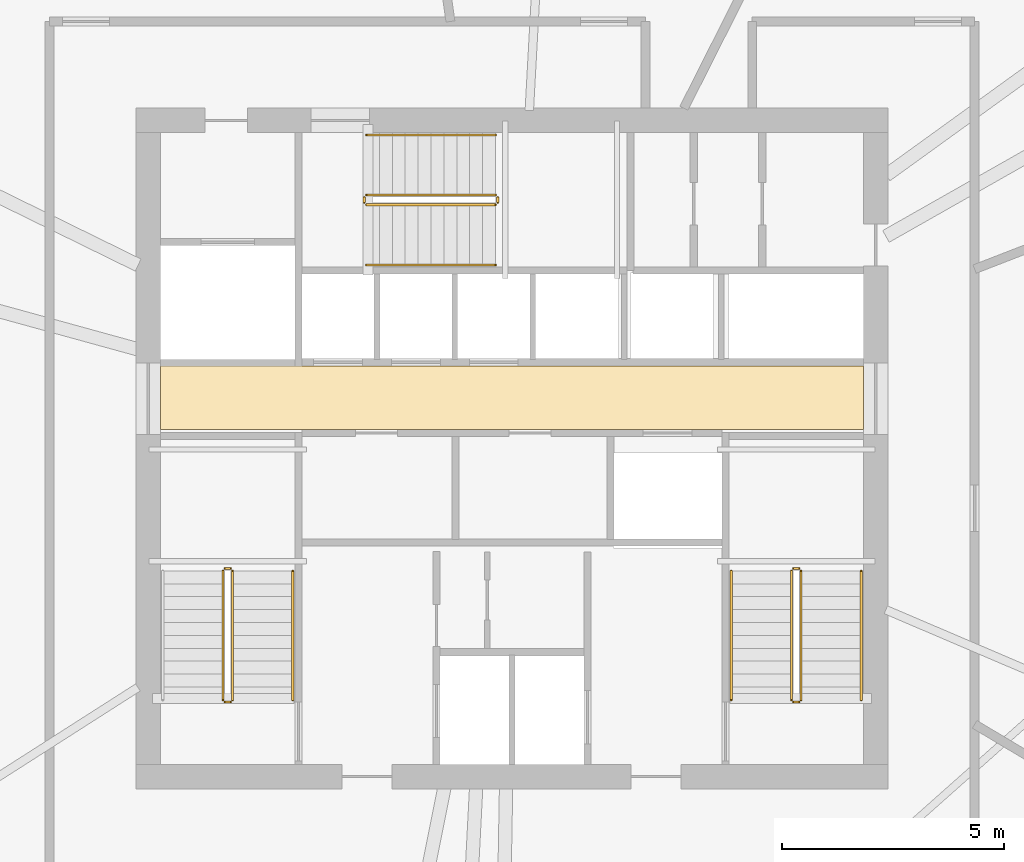
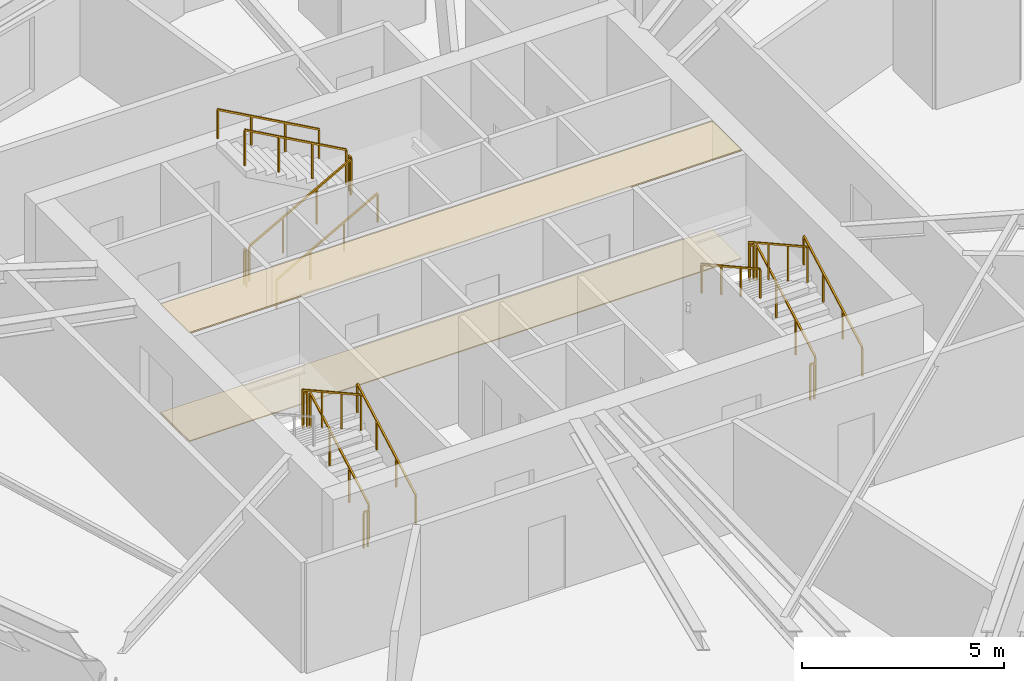
# One storey, part 14 of 15: 17 railings, 2 coverings.
"""IFC4 building model written with IfcOpenShell, lengths in metres."""

import ifcopenshell
import ifcopenshell.guid

model = None  # the IFC model being written
_history = None  # IfcOwnerHistory: only IFC2X3 demands one
_inside = {}  # id of a spatial element -> (the spatial element, [elements in it])
_under = {}  # id of a project, library or spatial element -> (it, [spatial elements below it])
_declared = {}  # id of a project -> (the project, [libraries it declares])
_typed = {}  # id of a type object -> (the type object, [elements of that type])
_made_of = {}  # id of a material, layer set ... -> (it, [elements and type objects made of it])


def new_model(schema):
    """Start an empty IFC model of exactly this schema.

    Asked for "IFC4X3", IfcOpenShell would pick the latest addendum, in which some entities
    have other attributes; the version numbers below select the first issue.
    IFC2X3 requires an IfcOwnerHistory on every rooted entity: one is made here for all.
    """
    global model, _history
    if schema == "IFC4X3":
        model = ifcopenshell.file(schema_version=(4, 3, 0, 0))
    else:
        model = ifcopenshell.file(schema=schema)
    _inside.clear()
    _under.clear()
    _declared.clear()
    _typed.clear()
    _made_of.clear()
    _history = None
    if model.schema == "IFC2X3":
        org = make("IfcOrganization", Name="unknown")
        user = make(
            "IfcPersonAndOrganization",
            ThePerson=make("IfcPerson", FamilyName="unknown"),
            TheOrganization=org,
        )
        app = make(
            "IfcApplication",
            ApplicationDeveloper=org,
            Version="unknown",
            ApplicationFullName="unknown",
            ApplicationIdentifier="unknown",
        )
        _history = make(
            "IfcOwnerHistory",
            OwningUser=user,
            OwningApplication=app,
            ChangeAction="ADDED",
            CreationDate=0,
        )
    return model


def make(cls, **values):
    """One entity of the class cls with the attributes given. An attribute that is None is left unset."""
    return model.create_entity(
        cls, **{name: value for name, value in values.items() if value is not None}
    )


def rooted(cls, **values):
    """An entity with a GlobalId (a new one), such as an element, a storey or a relation."""
    return make(cls, GlobalId=ifcopenshell.guid.new(), OwnerHistory=_history, **values)


def si_unit(unit_type, name, prefix=None):
    """IfcSIUnit, for example si_unit("LENGTHUNIT", "METRE", prefix="MILLI")."""
    return make("IfcSIUnit", UnitType=unit_type, Prefix=prefix, Name=name)


def assignment(units):
    """IfcUnitAssignment: the units of a project."""
    return None if units is None else make("IfcUnitAssignment", Units=units)


def point(xyz):
    """IfcCartesianPoint."""
    return None if xyz is None else make("IfcCartesianPoint", Coordinates=xyz)


def direction(xyz):
    """IfcDirection."""
    return None if xyz is None else make("IfcDirection", DirectionRatios=xyz)


def frame(location, z_axis=None, x_axis=None):
    """IfcAxis2Placement3D, a coordinate frame: its origin and axes. An axis left out is left unset."""
    return make(
        "IfcAxis2Placement3D",
        Location=point(location),
        Axis=direction(z_axis),
        RefDirection=direction(x_axis),
    )


def frame_2d(location, x_axis=None):
    """IfcAxis2Placement2D, a coordinate frame in the plane: its origin and x axis."""
    return make(
        "IfcAxis2Placement2D", Location=point(location), RefDirection=direction(x_axis)
    )


def origin():
    """The frame at (0, 0, 0) with its axes left unset."""
    return frame((0.0, 0.0, 0.0))


def origin_2d():
    """The frame at (0, 0) in the plane with its x axis left unset."""
    return frame_2d((0.0, 0.0))


def place(relative_to, where):
    """IfcLocalPlacement: puts the frame where relative to a parent placement (None: the world)."""
    return make(
        "IfcLocalPlacement", PlacementRelTo=relative_to, RelativePlacement=where
    )


def context(
    kind, dimensions, precision=None, world=None, true_north=None, identifier=None
):
    """IfcGeometricRepresentationContext, for example the 3D "Model" context."""
    return make(
        "IfcGeometricRepresentationContext",
        ContextIdentifier=identifier,
        ContextType=kind,
        CoordinateSpaceDimension=dimensions,
        Precision=precision,
        WorldCoordinateSystem=world,
        TrueNorth=true_north,
    )


def subcontext(parent, identifier, kind, view, scale=None):
    """IfcGeometricRepresentationSubContext, for example "Body" below "Model"."""
    return make(
        "IfcGeometricRepresentationSubContext",
        ContextIdentifier=identifier,
        ContextType=kind,
        ParentContext=parent,
        TargetScale=scale,
        TargetView=view,
    )


def project(units=None, contexts=None):
    """IfcProject with its units and contexts."""
    return rooted(
        "IfcProject",
        Name="project",
        RepresentationContexts=contexts,
        UnitsInContext=assignment(units),
    )


def spatial(cls, under=None, at=None, **own):
    """A site, building, storey or space (cls), placed at a placement, below another one or the project."""
    s = rooted(cls, ObjectPlacement=at, **own)
    if under is not None:
        _under.setdefault(under.id(), (under, []))[1].append(s)
    return s


def polyline(points):
    """IfcPolyline through the points."""
    return make("IfcPolyline", Points=[point(p) for p in points])


def profile(cls, at=None, kind="AREA", **sizes):
    """A parametric profile (cls). Its sizes go by their IFC names, for example OverallWidth=200.0."""
    return make(cls, ProfileType=kind, Position=at, **sizes)


def rectangle(**sizes):
    """IfcRectangleProfileDef."""
    return profile("IfcRectangleProfileDef", **sizes)


def outline(outer, holes=None, kind="AREA"):
    """IfcArbitraryClosedProfileDef: a profile drawn as a closed curve; with holes, ...WithVoids."""
    if holes is None:
        return make("IfcArbitraryClosedProfileDef", ProfileType=kind, OuterCurve=outer)
    return make(
        "IfcArbitraryProfileDefWithVoids",
        ProfileType=kind,
        OuterCurve=outer,
        InnerCurves=holes,
    )


def extrude(swept, where, along, depth):
    """IfcExtrudedAreaSolid: the profile swept, set in the frame where, extruded along a direction by depth."""
    return make(
        "IfcExtrudedAreaSolid",
        SweptArea=swept,
        Position=where,
        ExtrudedDirection=direction(along),
        Depth=depth,
    )


def shape(context_of_items, identifier, shape_type, items):
    """IfcShapeRepresentation: the items that make up one representation, for example the "Body"."""
    return make(
        "IfcShapeRepresentation",
        ContextOfItems=context_of_items,
        RepresentationIdentifier=identifier,
        RepresentationType=shape_type,
        Items=items,
    )


def material(Name=None, Category=None):
    """IfcMaterial."""
    return make("IfcMaterial", Name=Name, Category=Category)


def layer(
    of_material, thickness, ventilated=None, Name=None, Category=None, Priority=None
):
    """IfcMaterialLayer: one layer of a wall or slab, of a material (None: an air gap)."""
    return make(
        "IfcMaterialLayer",
        Material=of_material,
        LayerThickness=thickness,
        IsVentilated=ventilated,
        Name=Name,
        Category=Category,
        Priority=Priority,
    )


def layer_set(layers, Name=None):
    """IfcMaterialLayerSet."""
    return make("IfcMaterialLayerSet", MaterialLayers=layers, LayerSetName=Name)


def made_of(thing, what):
    """Note that an element or type object is made of a material, layer set ...; save() writes the relation."""
    if what is not None:
        _made_of.setdefault(what.id(), (what, []))[1].append(thing)
    return thing


def type_object(cls, material=None, **own):
    """A type object (cls), such as IfcWallType, which elements share."""
    return made_of(rooted(cls, **own), material)


def element(
    cls,
    number,
    at=None,
    inside=None,
    cuts=None,
    type_object=None,
    material=None,
    context=None,
    identifier="Body",
    shape_type=None,
    held_by="IfcProductDefinitionShape",
    body=None,
    shapes=None,
    **own,
):
    """One element of the class cls, such as IfcWall. Its Tag is "e" and its number.

    at: its placement. inside: the storey or other place that contains it. cuts: it is an
    opening in that element (IfcRelVoidsElement). A single representation is given by context,
    identifier, shape_type and body (its items); several are given by shapes. held_by: the class
    of the entity that holds the representations. save() writes the other relations.
    """
    e = rooted(cls, Tag="e%d" % number, ObjectPlacement=at, **own)
    if body is not None:
        shapes = [shape(context, identifier, shape_type, body)]
    if shapes is not None:
        e.Representation = make(held_by, Representations=shapes)
    if inside is not None:
        _inside.setdefault(inside.id(), (inside, []))[1].append(e)
    if cuts is not None:
        rooted(
            "IfcRelVoidsElement", RelatingBuildingElement=cuts, RelatedOpeningElement=e
        )
    if type_object is not None:
        _typed.setdefault(type_object.id(), (type_object, []))[1].append(e)
    return made_of(e, material)


def aggregate(whole, parts):
    """IfcRelAggregates: a whole, such as a stair, and the parts it consists of."""
    return rooted("IfcRelAggregates", RelatingObject=whole, RelatedObjects=parts)


def save(model, path):
    """Write the relations noted so far, then the file.

    IfcRelAggregates (storeys below a building ...), IfcRelContainedInSpatialStructure (elements
    in a storey), IfcRelDefinesByType, IfcRelAssociatesMaterial and IfcRelDeclares: one each for
    every whole, place, type object, material and project.
    """
    for whole, parts in _under.values():
        aggregate(whole, parts)
    for where, things in _inside.values():
        rooted(
            "IfcRelContainedInSpatialStructure",
            RelatedElements=things,
            RelatingStructure=where,
        )
    for kind, things in _typed.values():
        rooted("IfcRelDefinesByType", RelatedObjects=things, RelatingType=kind)
    for what, things in _made_of.values():
        rooted("IfcRelAssociatesMaterial", RelatedObjects=things, RelatingMaterial=what)
    for by, libraries in _declared.values():
        rooted("IfcRelDeclares", RelatingContext=by, RelatedDefinitions=libraries)
    model.write(path)


model = new_model("IFC4")

# Units and contexts
model_context = context("Model", 3, precision=1e-05, world=origin(), true_north=direction((0.0, 1.0)))
body_context = subcontext(model_context, "Body", "Model", "MODEL_VIEW")
ifc_project = project(units=[si_unit("LENGTHUNIT", "METRE"), si_unit("AREAUNIT", "SQUARE_METRE"), si_unit("VOLUMEUNIT", "CUBIC_METRE"), si_unit("PLANEANGLEUNIT", "RADIAN"), si_unit("MASSUNIT", "GRAM", prefix="KILO")], contexts=[model_context])

# Site, building, storey
site_placement = place(None, origin())
site = spatial("IfcSite", under=ifc_project, at=site_placement, CompositionType="ELEMENT")
building_placement = place(site_placement, origin())
building = spatial("IfcBuilding", under=site, at=building_placement, Name="Olszyna Solenne Hotel", CompositionType="ELEMENT")
storey_placement = place(building_placement, frame((0.0, 0.0, 164.35009765625)))
storey = spatial("IfcBuildingStorey", under=building, at=storey_placement, Name="L43", CompositionType="ELEMENT", Elevation=164.35009765625)

# Coverings
ifc_material_1 = material(Name="Mineral wool acoustic ceiling")
ifc_layer_1 = layer(ifc_material_1, 0.0400390625, Name="Mineral wool acoustic ceiling")
ifc_layer_set_1 = layer_set([ifc_layer_1], Name="Mineral wool acoustic ceiling")
covering_type_1 = type_object("IfcCoveringType", Name="CL-AC1", PredefinedType="CEILING", material=ifc_layer_set_1)
covering_1_placement = place(storey_placement, frame((0.0, 0.0, 3.27001953125)))
element("IfcCovering", 1, at=covering_1_placement, inside=storey, type_object=covering_type_1, Name="Lift lobby acoustic tile ceiling CL-L43-01", PredefinedType="CEILING", context=body_context, shape_type="SweptSolid", body=[
    extrude(outline(polyline([(30.10009765625, 27.030029296875), (45.89990234375, 27.030029296875), (45.89990234375, 28.4599609375), (30.10009765625, 28.4599609375), (30.10009765625, 27.030029296875)])), origin(), (0.0, 0.0, 1.0), 0.039794921875),
])
ifc_material_2 = material(Name="Ceramic floor tile")
ifc_layer_2 = layer(ifc_material_2, 0.030029296875, Name="Ceramic floor tile")
ifc_layer_set_2 = layer_set([ifc_layer_2], Name="Ceramic floor tile")
covering_type_2 = type_object("IfcCoveringType", Name="FL-TL1", PredefinedType="FLOORING", material=ifc_layer_set_2)
covering_2_placement = place(storey_placement, origin())
element("IfcCovering", 2, at=covering_2_placement, inside=storey, type_object=covering_type_2, Name="Lift lobby stoneware floor finish FLR-L43-01", PredefinedType="FLOORING", context=body_context, shape_type="SweptSolid", body=[
    extrude(outline(polyline([(30.10009765625, 27.030029296875), (45.89990234375, 27.030029296875), (45.89990234375, 28.4599609375), (30.10009765625, 28.4599609375), (30.10009765625, 27.030029296875)])), origin(), (0.0, 0.0, 1.0), 0.02978515625),
])

# Railings
ifc_material_3 = material(Name="Anodised bronze aluminium", Category="aluminium")
railing_type_1 = type_object("IfcRailingType", Name="GR-110", PredefinedType="BALUSTRADE", material=ifc_material_3)
railing_1_placement = place(storey_placement, frame((31.719970703125, 20.949951171875, 0.161376953125)))
element("IfcRailing", 3, at=railing_1_placement, inside=storey, type_object=railing_type_1, Name="L43 ST1 stair guard 1", PredefinedType="BALUSTRADE", context=body_context, shape_type="SweptSolid", body=[
    extrude(rectangle(XDim=0.048095703125, YDim=0.048095703125, at=origin_2d()), frame((0.0, 0.0, 1.076171875), z_axis=(0.0, 0.873858693841, 0.486179990537), x_axis=(-1.0, 0.0, 0.0)), (0.0, 0.0, 1.0), 3.31884765625),
    extrude(rectangle(XDim=0.0419921875, YDim=0.0419921875, at=origin_2d()), origin(), (0.0, 0.0, 1.0), 1.052001953125),
    extrude(rectangle(XDim=0.0419921875, YDim=0.0419921875, at=origin_2d()), frame((0.0, 0.966796875, 0.537841796875)), (0.0, 0.0, 1.0), 1.052001953125),
    extrude(rectangle(XDim=0.0419921875, YDim=0.0419921875, at=origin_2d()), frame((0.0, 1.933349609375, 1.07568359375)), (0.0, 0.0, 1.0), 1.052001953125),
    extrude(rectangle(XDim=0.0419921875, YDim=0.0419921875, at=origin_2d()), frame((0.0, 2.900146484375, 1.613525390625)), (0.0, 0.0, 1.0), 1.052001953125),
])
railing_2_placement = place(storey_placement, frame((31.669921875, 23.89990234375, 1.77490234375)))
element("IfcRailing", 4, at=railing_2_placement, inside=storey, type_object=railing_type_1, Name="L43 ST1 stair guard 2", PredefinedType="BALUSTRADE", context=body_context, shape_type="SweptSolid", body=[
    extrude(rectangle(XDim=0.048095703125, YDim=0.048095703125, at=origin_2d()), frame((0.0, 0.0, 1.076171875), z_axis=(-1.0, 0.0, 0.0), x_axis=(0.0, -1.0, 0.0)), (0.0, 0.0, 1.0), 0.119873046875),
    extrude(rectangle(XDim=0.0419921875, YDim=0.0419921875, at=origin_2d()), origin(), (0.0, 0.0, 1.0), 1.052001953125),
    extrude(rectangle(XDim=0.0419921875, YDim=0.0419921875, at=origin_2d()), frame((-0.119873046875, 0.0, 0.0)), (0.0, 0.0, 1.0), 1.052001953125),
])
railing_3_placement = place(storey_placement, frame((31.5, 23.85009765625, 1.936279296875)))
element("IfcRailing", 5, at=railing_3_placement, inside=storey, type_object=railing_type_1, Name="L43 ST1 stair guard 3", PredefinedType="BALUSTRADE", context=body_context, shape_type="SweptSolid", body=[
    extrude(rectangle(XDim=0.048095703125, YDim=0.048095703125, at=origin_2d()), frame((0.0, 0.0, 1.076171875), z_axis=(0.0, -0.873858693841, 0.486179990537), x_axis=(1.0, 0.0, 0.0)), (0.0, 0.0, 1.0), 3.31884765625),
    extrude(rectangle(XDim=0.0419921875, YDim=0.0419921875, at=origin_2d()), origin(), (0.0, 0.0, 1.0), 1.052001953125),
    extrude(rectangle(XDim=0.0419921875, YDim=0.0419921875, at=origin_2d()), frame((0.0, -0.966796875, 0.537841796875)), (0.0, 0.0, 1.0), 1.052001953125),
    extrude(rectangle(XDim=0.0419921875, YDim=0.0419921875, at=origin_2d()), frame((0.0, -1.933349609375, 1.07568359375)), (0.0, 0.0, 1.0), 1.052001953125),
    extrude(rectangle(XDim=0.0419921875, YDim=0.0419921875, at=origin_2d()), frame((0.0, -2.900146484375, 1.613525390625)), (0.0, 0.0, 1.0), 1.052001953125),
])
railing_4_placement = place(storey_placement, frame((31.669921875, 20.89990234375, 0.0)))
element("IfcRailing", 6, at=railing_4_placement, inside=storey, type_object=railing_type_1, Name="L43 ST1 stair guard 4", PredefinedType="BALUSTRADE", context=body_context, shape_type="SweptSolid", body=[
    extrude(rectangle(XDim=0.048095703125, YDim=0.048095703125, at=origin_2d()), frame((0.0, 0.0, 1.076171875), z_axis=(-1.0, 0.0, 0.0), x_axis=(0.0, -1.0, 0.0)), (0.0, 0.0, 1.0), 0.119873046875),
    extrude(rectangle(XDim=0.0419921875, YDim=0.0419921875, at=origin_2d()), origin(), (0.0, 0.0, 1.0), 1.052001953125),
    extrude(rectangle(XDim=0.0419921875, YDim=0.0419921875, at=origin_2d()), frame((-0.119873046875, 0.0, 0.0)), (0.0, 0.0, 1.0), 1.052001953125),
])
railing_5_placement = place(storey_placement, frame((44.5, 20.949951171875, 0.161376953125)))
element("IfcRailing", 7, at=railing_5_placement, inside=storey, type_object=railing_type_1, Name="L43 ST2 stair guard 1", PredefinedType="BALUSTRADE", context=body_context, shape_type="SweptSolid", body=[
    extrude(rectangle(XDim=0.048095703125, YDim=0.048095703125, at=origin_2d()), frame((0.0, 0.0, 1.076171875), z_axis=(0.0, 0.873858693841, 0.486179990537), x_axis=(-1.0, 0.0, 0.0)), (0.0, 0.0, 1.0), 3.31884765625),
    extrude(rectangle(XDim=0.0419921875, YDim=0.0419921875, at=origin_2d()), origin(), (0.0, 0.0, 1.0), 1.052001953125),
    extrude(rectangle(XDim=0.0419921875, YDim=0.0419921875, at=origin_2d()), frame((0.0, 0.966796875, 0.537841796875)), (0.0, 0.0, 1.0), 1.052001953125),
    extrude(rectangle(XDim=0.0419921875, YDim=0.0419921875, at=origin_2d()), frame((0.0, 1.933349609375, 1.07568359375)), (0.0, 0.0, 1.0), 1.052001953125),
    extrude(rectangle(XDim=0.0419921875, YDim=0.0419921875, at=origin_2d()), frame((0.0, 2.900146484375, 1.613525390625)), (0.0, 0.0, 1.0), 1.052001953125),
])
railing_6_placement = place(storey_placement, frame((44.449951171875, 23.89990234375, 1.77490234375)))
element("IfcRailing", 8, at=railing_6_placement, inside=storey, type_object=railing_type_1, Name="L43 ST2 stair guard 2", PredefinedType="BALUSTRADE", context=body_context, shape_type="SweptSolid", body=[
    extrude(rectangle(XDim=0.048095703125, YDim=0.048095703125, at=origin_2d()), frame((0.0, 0.0, 1.076171875), z_axis=(-1.0, 0.0, 0.0), x_axis=(0.0, -1.0, 0.0)), (0.0, 0.0, 1.0), 0.119873046875),
    extrude(rectangle(XDim=0.0419921875, YDim=0.0419921875, at=origin_2d()), origin(), (0.0, 0.0, 1.0), 1.052001953125),
    extrude(rectangle(XDim=0.0419921875, YDim=0.0419921875, at=origin_2d()), frame((-0.119873046875, 0.0, 0.0)), (0.0, 0.0, 1.0), 1.052001953125),
])
railing_7_placement = place(storey_placement, frame((44.280029296875, 23.85009765625, 1.936279296875)))
element("IfcRailing", 9, at=railing_7_placement, inside=storey, type_object=railing_type_1, Name="L43 ST2 stair guard 3", PredefinedType="BALUSTRADE", context=body_context, shape_type="SweptSolid", body=[
    extrude(rectangle(XDim=0.048095703125, YDim=0.048095703125, at=origin_2d()), frame((0.0, 0.0, 1.076171875), z_axis=(0.0, -0.873858693841, 0.486179990537), x_axis=(1.0, 0.0, 0.0)), (0.0, 0.0, 1.0), 3.31884765625),
    extrude(rectangle(XDim=0.0419921875, YDim=0.0419921875, at=origin_2d()), origin(), (0.0, 0.0, 1.0), 1.052001953125),
    extrude(rectangle(XDim=0.0419921875, YDim=0.0419921875, at=origin_2d()), frame((0.0, -0.966796875, 0.537841796875)), (0.0, 0.0, 1.0), 1.052001953125),
    extrude(rectangle(XDim=0.0419921875, YDim=0.0419921875, at=origin_2d()), frame((0.0, -1.933349609375, 1.07568359375)), (0.0, 0.0, 1.0), 1.052001953125),
    extrude(rectangle(XDim=0.0419921875, YDim=0.0419921875, at=origin_2d()), frame((0.0, -2.900146484375, 1.613525390625)), (0.0, 0.0, 1.0), 1.052001953125),
])
railing_8_placement = place(storey_placement, frame((44.449951171875, 20.89990234375, 0.0)))
element("IfcRailing", 10, at=railing_8_placement, inside=storey, type_object=railing_type_1, Name="L43 ST2 stair guard 4", PredefinedType="BALUSTRADE", context=body_context, shape_type="SweptSolid", body=[
    extrude(rectangle(XDim=0.048095703125, YDim=0.048095703125, at=origin_2d()), frame((0.0, 0.0, 1.076171875), z_axis=(-1.0, 0.0, 0.0), x_axis=(0.0, -1.0, 0.0)), (0.0, 0.0, 1.0), 0.119873046875),
    extrude(rectangle(XDim=0.0419921875, YDim=0.0419921875, at=origin_2d()), origin(), (0.0, 0.0, 1.0), 1.052001953125),
    extrude(rectangle(XDim=0.0419921875, YDim=0.0419921875, at=origin_2d()), frame((-0.119873046875, 0.0, 0.0)), (0.0, 0.0, 1.0), 1.052001953125),
])
railing_9_placement = place(storey_placement, frame((34.72998046875, 32.080078125, 0.161376953125)))
element("IfcRailing", 11, at=railing_9_placement, inside=storey, type_object=railing_type_1, Name="L43 ST3 stair guard 1", PredefinedType="BALUSTRADE", context=body_context, shape_type="SweptSolid", body=[
    extrude(rectangle(XDim=0.048095703125, YDim=0.048095703125, at=origin_2d()), frame((0.0, 0.0, 1.076171875), z_axis=(0.873841303929, 0.0, 0.486211245805), x_axis=(0.0, 1.0, 0.0)), (0.0, 0.0, 1.0), 3.318603515625),
    extrude(rectangle(XDim=0.0419921875, YDim=0.0419921875, at=origin_2d()), origin(), (0.0, 0.0, 1.0), 1.052001953125),
    extrude(rectangle(XDim=0.0419921875, YDim=0.0419921875, at=origin_2d()), frame((0.966552734375, 0.0, 0.537841796875)), (0.0, 0.0, 1.0), 1.052001953125),
    extrude(rectangle(XDim=0.0419921875, YDim=0.0419921875, at=origin_2d()), frame((1.933349609375, 0.0, 1.07568359375)), (0.0, 0.0, 1.0), 1.052001953125),
    extrude(rectangle(XDim=0.0419921875, YDim=0.0419921875, at=origin_2d()), frame((2.89990234375, 0.0, 1.613525390625)), (0.0, 0.0, 1.0), 1.052001953125),
])
railing_10_placement = place(storey_placement, frame((37.679931640625, 32.1298828125, 1.77490234375)))
element("IfcRailing", 12, at=railing_10_placement, inside=storey, type_object=railing_type_1, Name="L43 ST3 stair guard 2", PredefinedType="BALUSTRADE", context=body_context, shape_type="SweptSolid", body=[
    extrude(rectangle(XDim=0.048095703125, YDim=0.048095703125, at=origin_2d()), frame((0.0, 0.0, 1.076171875), z_axis=(0.0, 1.0, 0.0), x_axis=(-1.0, 0.0, 0.0)), (0.0, 0.0, 1.0), 0.1201171875),
    extrude(rectangle(XDim=0.0419921875, YDim=0.0419921875, at=origin_2d()), origin(), (0.0, 0.0, 1.0), 1.052001953125),
    extrude(rectangle(XDim=0.0419921875, YDim=0.0419921875, at=origin_2d()), frame((0.0, 0.1201171875, 0.0)), (0.0, 0.0, 1.0), 1.052001953125),
])
railing_11_placement = place(storey_placement, frame((37.6298828125, 32.300048828125, 1.936279296875)))
element("IfcRailing", 13, at=railing_11_placement, inside=storey, type_object=railing_type_1, Name="L43 ST3 stair guard 3", PredefinedType="BALUSTRADE", context=body_context, shape_type="SweptSolid", body=[
    extrude(rectangle(XDim=0.048095703125, YDim=0.048095703125, at=origin_2d()), frame((0.0, 0.0, 1.076171875), z_axis=(-0.873841303929, 0.0, 0.486211245805), x_axis=(0.0, -1.0, 0.0)), (0.0, 0.0, 1.0), 3.318603515625),
    extrude(rectangle(XDim=0.0419921875, YDim=0.0419921875, at=origin_2d()), origin(), (0.0, 0.0, 1.0), 1.052001953125),
    extrude(rectangle(XDim=0.0419921875, YDim=0.0419921875, at=origin_2d()), frame((-0.966552734375, 0.0, 0.537841796875)), (0.0, 0.0, 1.0), 1.052001953125),
    extrude(rectangle(XDim=0.0419921875, YDim=0.0419921875, at=origin_2d()), frame((-1.933349609375, 0.0, 1.07568359375)), (0.0, 0.0, 1.0), 1.052001953125),
    extrude(rectangle(XDim=0.0419921875, YDim=0.0419921875, at=origin_2d()), frame((-2.89990234375, 0.0, 1.613525390625)), (0.0, 0.0, 1.0), 1.052001953125),
])
railing_12_placement = place(storey_placement, frame((34.679931640625, 32.1298828125, 0.0)))
element("IfcRailing", 14, at=railing_12_placement, inside=storey, type_object=railing_type_1, Name="L43 ST3 stair guard 4", PredefinedType="BALUSTRADE", context=body_context, shape_type="SweptSolid", body=[
    extrude(rectangle(XDim=0.048095703125, YDim=0.048095703125, at=origin_2d()), frame((0.0, 0.0, 1.076171875), z_axis=(0.0, 1.0, 0.0), x_axis=(-1.0, 0.0, 0.0)), (0.0, 0.0, 1.0), 0.1201171875),
    extrude(rectangle(XDim=0.0419921875, YDim=0.0419921875, at=origin_2d()), origin(), (0.0, 0.0, 1.0), 1.052001953125),
    extrude(rectangle(XDim=0.0419921875, YDim=0.0419921875, at=origin_2d()), frame((0.0, 0.1201171875, 0.0)), (0.0, 0.0, 1.0), 1.052001953125),
])
ifc_material_4 = material(Name="Steel S355J2", Category="steel")
railing_type_2 = type_object("IfcRailingType", Name="HR-090", PredefinedType="HANDRAIL", material=ifc_material_4)
for number, where, name in (
    (15, (33.070068359375, 20.949951171875, 0.161376953125), "L43 ST1 stair handrail 1"),
    (16, (45.85009765625, 20.949951171875, 0.161376953125), "L43 ST2 stair handrail 1"),
):
    element("IfcRailing", number, at=place(storey_placement, frame(where)), inside=storey, type_object=railing_type_2, Name=name, PredefinedType="HANDRAIL", context=body_context, shape_type="SweptSolid", body=[
        extrude(rectangle(XDim=0.048095703125, YDim=0.048095703125, at=origin_2d()), frame((0.0, 0.0, 0.8759765625), z_axis=(0.0, 0.873858693841, 0.486179990537), x_axis=(-1.0, 0.0, 0.0)), (0.0, 0.0, 1.0), 3.31884765625),
        extrude(rectangle(XDim=0.0419921875, YDim=0.0419921875, at=origin_2d()), origin(), (0.0, 0.0, 1.0), 0.851806640625),
        extrude(rectangle(XDim=0.0419921875, YDim=0.0419921875, at=origin_2d()), frame((0.0, 0.966796875, 0.537841796875)), (0.0, 0.0, 1.0), 0.851806640625),
        extrude(rectangle(XDim=0.0419921875, YDim=0.0419921875, at=origin_2d()), frame((0.0, 1.933349609375, 1.07568359375)), (0.0, 0.0, 1.0), 0.851806640625),
        extrude(rectangle(XDim=0.0419921875, YDim=0.0419921875, at=origin_2d()), frame((0.0, 2.900146484375, 1.613525390625)), (0.0, 0.0, 1.0), 0.851806640625),
    ])
railing_13_placement = place(storey_placement, frame((42.929931640625, 23.85009765625, 1.936279296875)))
element("IfcRailing", 17, at=railing_13_placement, inside=storey, type_object=railing_type_2, Name="L43 ST2 stair handrail 2", PredefinedType="HANDRAIL", context=body_context, shape_type="SweptSolid", body=[
    extrude(rectangle(XDim=0.048095703125, YDim=0.048095703125, at=origin_2d()), frame((0.0, 0.0, 0.8759765625), z_axis=(0.0, -0.873858693841, 0.486179990537), x_axis=(1.0, 0.0, 0.0)), (0.0, 0.0, 1.0), 3.31884765625),
    extrude(rectangle(XDim=0.0419921875, YDim=0.0419921875, at=origin_2d()), origin(), (0.0, 0.0, 1.0), 0.851806640625),
    extrude(rectangle(XDim=0.0419921875, YDim=0.0419921875, at=origin_2d()), frame((0.0, -0.966796875, 0.537841796875)), (0.0, 0.0, 1.0), 0.851806640625),
    extrude(rectangle(XDim=0.0419921875, YDim=0.0419921875, at=origin_2d()), frame((0.0, -1.933349609375, 1.07568359375)), (0.0, 0.0, 1.0), 0.851806640625),
    extrude(rectangle(XDim=0.0419921875, YDim=0.0419921875, at=origin_2d()), frame((0.0, -2.900146484375, 1.613525390625)), (0.0, 0.0, 1.0), 0.851806640625),
])
railing_14_placement = place(storey_placement, frame((34.72998046875, 30.72998046875, 0.161376953125)))
element("IfcRailing", 18, at=railing_14_placement, inside=storey, type_object=railing_type_2, Name="L43 ST3 stair handrail 1", PredefinedType="HANDRAIL", context=body_context, shape_type="SweptSolid", body=[
    extrude(rectangle(XDim=0.048095703125, YDim=0.048095703125, at=origin_2d()), frame((0.0, 0.0, 0.8759765625), z_axis=(0.873841303929, 0.0, 0.486211245805), x_axis=(0.0, 1.0, 0.0)), (0.0, 0.0, 1.0), 3.318603515625),
    extrude(rectangle(XDim=0.0419921875, YDim=0.0419921875, at=origin_2d()), origin(), (0.0, 0.0, 1.0), 0.851806640625),
    extrude(rectangle(XDim=0.0419921875, YDim=0.0419921875, at=origin_2d()), frame((0.966552734375, 0.0, 0.537841796875)), (0.0, 0.0, 1.0), 0.851806640625),
    extrude(rectangle(XDim=0.0419921875, YDim=0.0419921875, at=origin_2d()), frame((1.933349609375, 0.0, 1.07568359375)), (0.0, 0.0, 1.0), 0.851806640625),
    extrude(rectangle(XDim=0.0419921875, YDim=0.0419921875, at=origin_2d()), frame((2.89990234375, 0.0, 1.613525390625)), (0.0, 0.0, 1.0), 0.851806640625),
])
railing_15_placement = place(storey_placement, frame((37.6298828125, 33.64990234375, 1.936279296875)))
element("IfcRailing", 19, at=railing_15_placement, inside=storey, type_object=railing_type_2, Name="L43 ST3 stair handrail 2", PredefinedType="HANDRAIL", context=body_context, shape_type="SweptSolid", body=[
    extrude(rectangle(XDim=0.048095703125, YDim=0.048095703125, at=origin_2d()), frame((0.0, 0.0, 0.8759765625), z_axis=(-0.873841303929, 0.0, 0.486211245805), x_axis=(0.0, -1.0, 0.0)), (0.0, 0.0, 1.0), 3.318603515625),
    extrude(rectangle(XDim=0.0419921875, YDim=0.0419921875, at=origin_2d()), origin(), (0.0, 0.0, 1.0), 0.851806640625),
    extrude(rectangle(XDim=0.0419921875, YDim=0.0419921875, at=origin_2d()), frame((-0.966552734375, 0.0, 0.537841796875)), (0.0, 0.0, 1.0), 0.851806640625),
    extrude(rectangle(XDim=0.0419921875, YDim=0.0419921875, at=origin_2d()), frame((-1.933349609375, 0.0, 1.07568359375)), (0.0, 0.0, 1.0), 0.851806640625),
    extrude(rectangle(XDim=0.0419921875, YDim=0.0419921875, at=origin_2d()), frame((-2.89990234375, 0.0, 1.613525390625)), (0.0, 0.0, 1.0), 0.851806640625),
])

save(model, "model.ifc")
